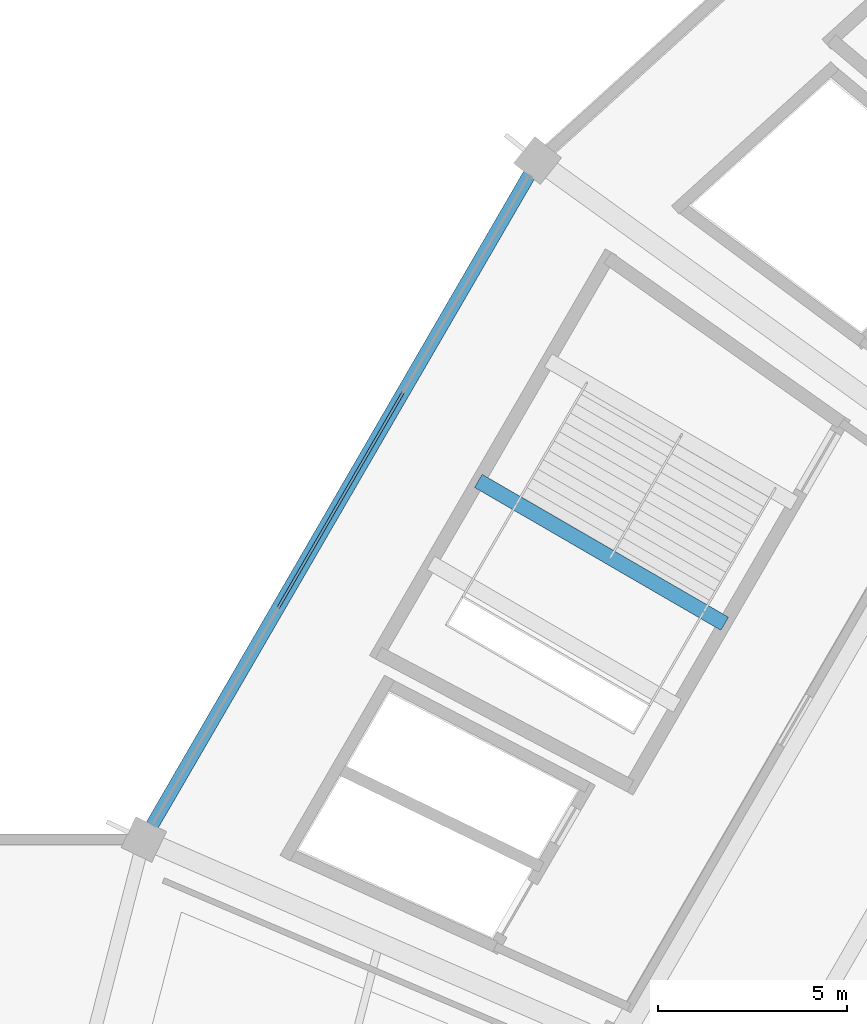
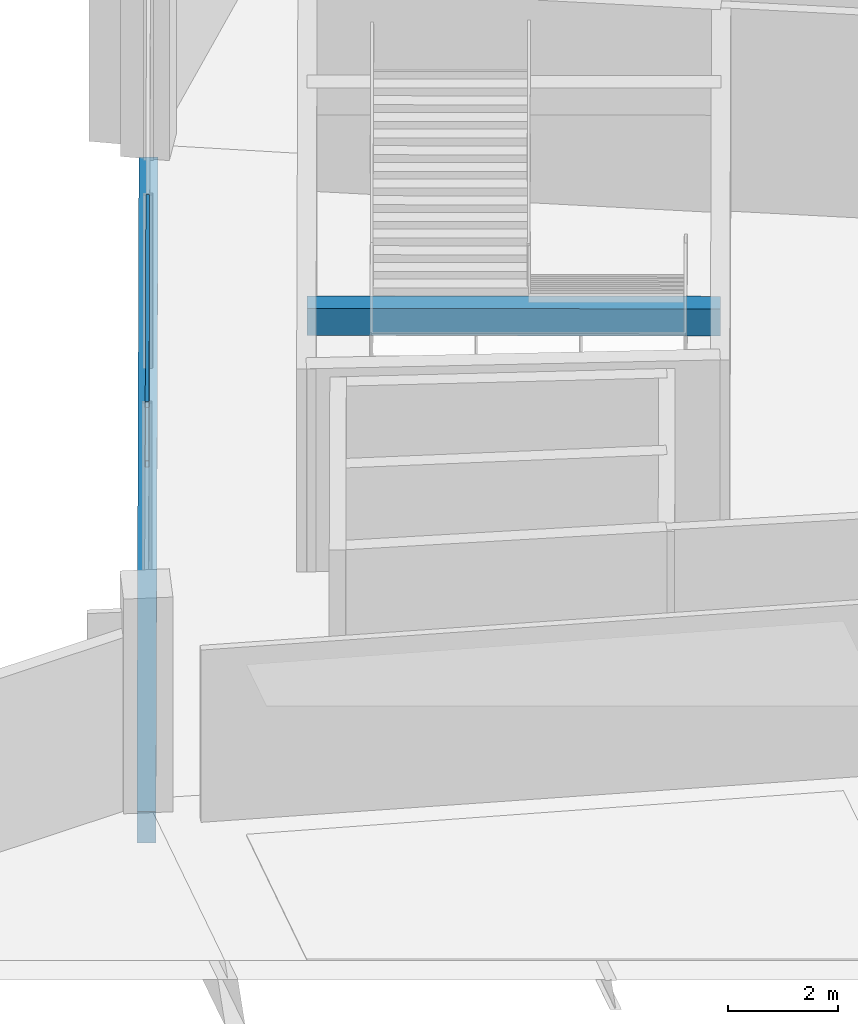
# One storey, part 67 of 156: 2 beams, 2 members, 1 element without a shape of its own.
"""IFC4 building model written with IfcOpenShell, lengths in metres."""

from ifc_helpers import new_model, si_unit, direction, frame, origin, origin_2d, place, context, subcontext, project, spatial, rectangle, hollow_rectangle, extrude, material, layer, layer_set, material_profile, profile_set, type_object, element, aggregate, save


model = new_model("IFC4")

# Units and contexts
model_context = context("Model", 3, precision=1e-05, world=origin(), true_north=direction((0.0, 1.0)))
body_context = subcontext(model_context, "Body", "Model", "MODEL_VIEW")
ifc_project = project(units=[si_unit("LENGTHUNIT", "METRE"), si_unit("AREAUNIT", "SQUARE_METRE"), si_unit("VOLUMEUNIT", "CUBIC_METRE"), si_unit("PLANEANGLEUNIT", "RADIAN"), si_unit("MASSUNIT", "GRAM", prefix="KILO")], contexts=[model_context])

# Site, building, storey
site_placement = place(None, origin())
site = spatial("IfcSite", under=ifc_project, at=site_placement, CompositionType="ELEMENT")
building_placement = place(site_placement, origin())
building = spatial("IfcBuilding", under=site, at=building_placement, Name="Kazemori Nagisa Stadium", CompositionType="ELEMENT")
storey_placement = place(building_placement, frame((0.0, 0.0, 5.780029296875)))
storey = spatial("IfcBuildingStorey", under=building, at=storey_placement, Name="L01", CompositionType="ELEMENT", Elevation=5.780029296875)

# Beams
ifc_material_1 = material(Name="Concrete C40/50 (Fc42)", Category="concrete")
ifc_material_profile_1 = material_profile(ifc_material_1, rectangle(XDim=0.39990234375, YDim=0.60009765625, at=origin_2d()), Name="RC-BM-400x600")
ifc_profile_set_1 = profile_set([ifc_material_profile_1], Name="Concrete C40/50 (Fc42)")
beam_type_1 = type_object("IfcBeamType", Name="Beam_BG-LND400X600", PredefinedType="BEAM", material=ifc_profile_set_1)
beam_1_placement = place(storey_placement, frame((49.4423828125, 146.442626953125, 1.8798828125), z_axis=(-0.865094639125, 0.501608677514, 0.0), x_axis=(-0.501608677514, -0.865094639125, 0.0)))
element("IfcBeam", 1, at=beam_1_placement, inside=storey, type_object=beam_type_1, Name="Core stair mid-landing girder ST08-L01-1", PredefinedType="BEAM", context=body_context, shape_type="SweptSolid", body=[
    extrude(rectangle(XDim=0.39990234375, YDim=0.60009765625, at=origin_2d()), origin(), (0.0, 0.0, 1.0), 7.513916015625),
])
ifc_material_profile_2 = material_profile(ifc_material_1, rectangle(XDim=0.35009765625, YDim=0.699951171875, at=origin_2d()), Name="RC-SP-350x700")
ifc_profile_set_2 = profile_set([ifc_material_profile_2], Name="Concrete C40/50 (Fc42)")
beam_type_2 = type_object("IfcBeamType", Name="Beam_BS-RC350X700", PredefinedType="SPANDREL", material=ifc_profile_set_2)
beam_2_placement = place(storey_placement, frame((44.504638671875, 158.667724609375, -0.630126953125), z_axis=(-0.50161277459, -0.8650922635, 0.0), x_axis=(0.8650922635, -0.50161277459, 0.0)))
element("IfcBeam", 2, at=beam_2_placement, inside=storey, type_object=beam_type_2, Name="Ring girder BS-RC350X700 L01 R3-12", PredefinedType="SPANDREL", context=body_context, shape_type="SweptSolid", body=[
    extrude(rectangle(XDim=0.35009765625, YDim=0.699951171875, at=origin_2d()), origin(), (0.0, 0.0, 1.0), 20.71240234375),
])

# Curtain wall, members
ifc_material_2 = material(Name="Anodised aluminium 6063-T5", Category="aluminium")
ifc_layer = layer(ifc_material_2, 0.179931640625, Name="Anodised aluminium 6063-T5", Category="aluminium")
ifc_layer_set = layer_set([ifc_layer], Name="Anodised aluminium 6063-T5")
curtain_wall_type = type_object("IfcCurtainWallType", Name="CW_L01R3_99", PredefinedType="USERDEFINED", material=ifc_layer_set)
curtain_wall_placement = place(storey_placement, origin())
curtain_wall = element("IfcCurtainWall", 3, at=curtain_wall_placement, inside=storey, type_object=curtain_wall_type, Name="Unitised curtain wall CW-L01R3-99 L01", ObjectType="UNITISED CURTAIN WALL", PredefinedType="USERDEFINED")
ifc_material_3 = material(Name="Aluminium 6063-T5 anodised", Category="aluminium")
ifc_material_profile_3 = material_profile(ifc_material_3, hollow_rectangle(XDim=0.070068359375, YDim=0.139892578125, WallThickness=0.00390625, at=origin_2d()), Name="ALU-TRAN-70x140x4")
ifc_profile_set_3 = profile_set([ifc_material_profile_3], Name="Aluminium 6063-T5 anodised")
member_type = type_object("IfcMemberType", Name="Transom_T01", PredefinedType="USERDEFINED", material=ifc_profile_set_3)
member_1_placement = place(storey_placement, frame((40.951904296875, 152.540771484375, 2.4638671875), z_axis=(-0.501590295943, -0.865105297069, 0.0), x_axis=(0.865105297069, -0.501590295943, 0.0)))
member_1 = element("IfcMember", 4, at=member_1_placement, type_object=member_type, Name="Curtain wall transom CW-L01R3-99-T2-mid", ObjectType="TRANSOM", PredefinedType="USERDEFINED", context=body_context, shape_type="SweptSolid", body=[
    extrude(hollow_rectangle(XDim=0.070068359375, YDim=0.139892578125, WallThickness=0.00390625, at=origin_2d()), origin(), (0.0, 0.0, 1.0), 6.547607421875),
])
member_2_placement = place(storey_placement, frame((40.951904296875, 152.540771484375, 3.780029296875), z_axis=(-0.501590295943, -0.865105297069, 0.0), x_axis=(0.865105297069, -0.501590295943, 0.0)))
member_2 = element("IfcMember", 5, at=member_2_placement, type_object=member_type, Name="Curtain wall transom CW-L01R3-99-T2-head", ObjectType="TRANSOM", PredefinedType="USERDEFINED", context=body_context, shape_type="SweptSolid", body=[
    extrude(hollow_rectangle(XDim=0.070068359375, YDim=0.139892578125, WallThickness=0.00390625, at=origin_2d()), origin(), (0.0, 0.0, 1.0), 6.547607421875),
])
aggregate(curtain_wall, [member_1, member_2])

save(model, "model.ifc")
